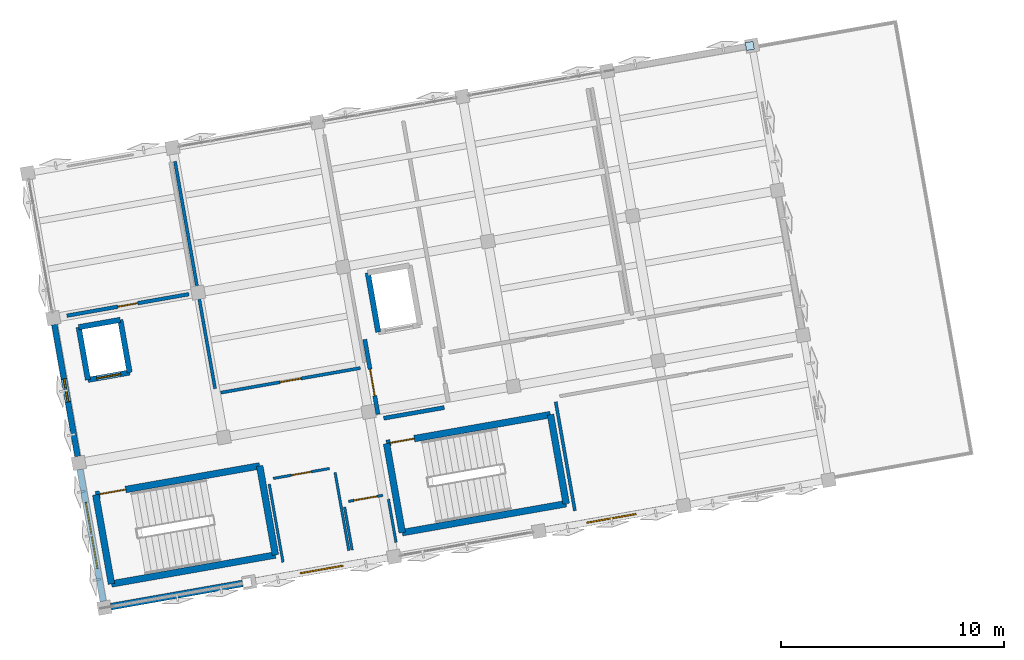
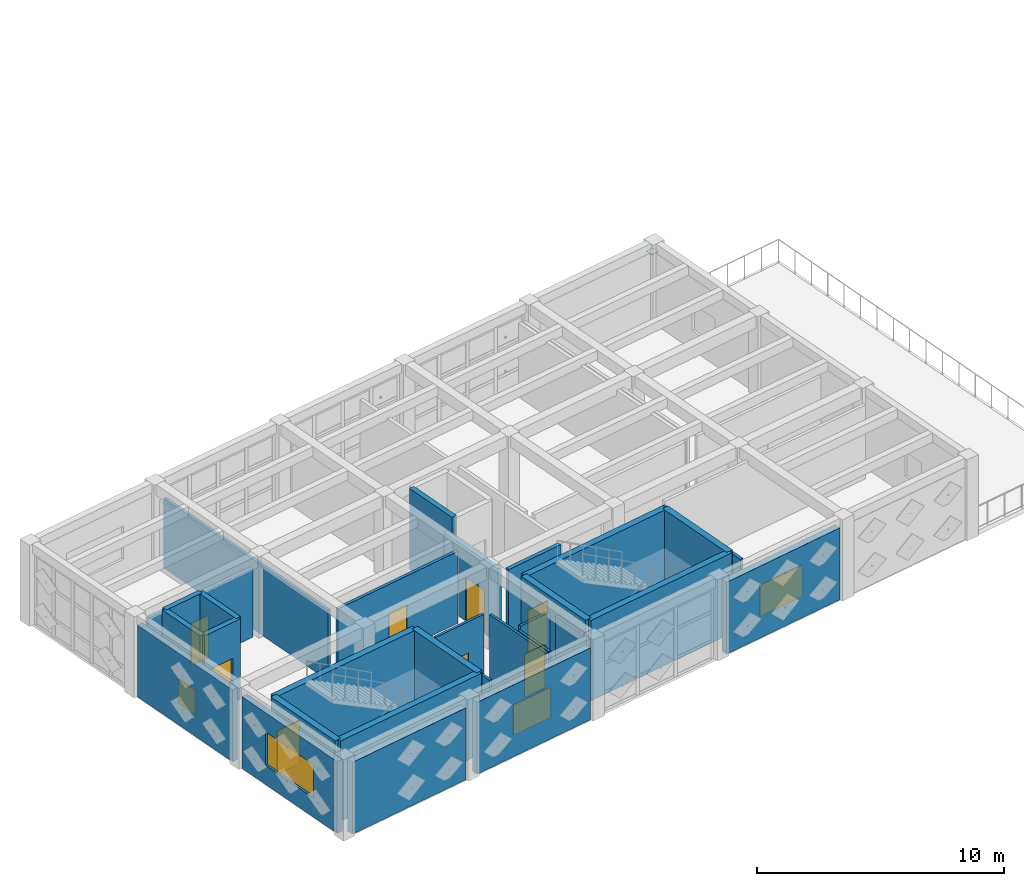
# One storey, part 13 of 18: 30 walls, 8 doors, 4 windows, 1 plate, 12 openings.
"""IFC4 building model written with IfcOpenShell, lengths in metres."""

from ifc_helpers import new_model, si_unit, direction, frame, frame_2d, origin, origin_2d, place, context, subcontext, project, spatial, rectangle, extrude, material, layer, layer_set, type_object, element, fill, save


model = new_model("IFC4")

# Units and contexts
model_context = context("Model", 3, precision=1e-05, world=origin(), true_north=direction((0.0, 1.0)))
body_context = subcontext(model_context, "Body", "Model", "MODEL_VIEW")
ifc_project = project(units=[si_unit("LENGTHUNIT", "METRE"), si_unit("AREAUNIT", "SQUARE_METRE"), si_unit("VOLUMEUNIT", "CUBIC_METRE"), si_unit("PLANEANGLEUNIT", "RADIAN"), si_unit("MASSUNIT", "GRAM", prefix="KILO")], contexts=[model_context])

# Site, building, storey
site_placement = place(None, origin())
site = spatial("IfcSite", under=ifc_project, at=site_placement, CompositionType="ELEMENT")
building_placement = place(site_placement, origin())
building = spatial("IfcBuilding", under=site, at=building_placement, Name="Kharisveld Research Institute", CompositionType="ELEMENT")
storey_placement = place(building_placement, frame((0.0, 0.0, 36.60009765625)))
storey = spatial("IfcBuildingStorey", under=building, at=storey_placement, Name="L08", CompositionType="ELEMENT", Elevation=36.60009765625)

# Plate
ifc_material_1 = material(Name="Steel S355JR", Category="steel")
ifc_layer_1 = layer(ifc_material_1, 0.013916015625)
ifc_layer_set_1 = layer_set([ifc_layer_1], Name="PL_CAP_A")
plate_type = type_object("IfcPlateType", Name="PL_CAP_A", PredefinedType="SHEET", material=ifc_layer_set_1)
plate_placement = place(storey_placement, frame((34.161865234375, 60.22216796875, 3.462890625), z_axis=(0.0, 0.0, 1.0), x_axis=(0.984807753012, 0.173648177667, 0.0)))
element("IfcPlate", 1, at=plate_placement, inside=storey, type_object=plate_type, Name="PLT:V1:L08:CAP_4_3", PredefinedType="SHEET", context=body_context, shape_type="SweptSolid", body=[
    extrude(rectangle(XDim=0.360107421875, YDim=0.360107421875, at=origin_2d()), origin(), (0.0, 0.0, 1.0), 0.013916015625),
])

# Walls
ifc_material_2 = material(Name="Concrete C40/50", Category="concrete")
ifc_layer_2 = layer(ifc_material_2, 0.239990234375)
ifc_layer_set_2 = layer_set([ifc_layer_2], Name="WL_CORE_240")
wall_type_1 = type_object("IfcWallType", Name="WL_CORE_240", PredefinedType="SHEAR", material=ifc_layer_set_2)
wall_1_placement = place(storey_placement, frame((17.48828125, 47.3818359375, 0.0), z_axis=(0.0, 0.0, 1.0), x_axis=(-0.173615102578, 0.98481358447, 0.0)))
element("IfcWall", 2, at=wall_1_placement, inside=storey, type_object=wall_type_1, Name="WL:LFT:FFL-01:L08:W", PredefinedType="SHEAR", context=body_context, shape_type="SweptSolid", body=[
    extrude(rectangle(XDim=2.699951171875, YDim=0.239990234375, at=frame_2d((1.35009765625, 0.0))), origin(), (0.0, 0.0, 1.0), 3.97998046875),
])
wall_2_placement = place(storey_placement, frame((4.462890625, 45.2373046875, 0.0), z_axis=(0.0, 0.0, 1.0), x_axis=(-0.173646056486, 0.984808127031, 0.0)))
element("IfcWall", 3, at=wall_2_placement, inside=storey, type_object=wall_type_1, Name="WL:LFT:PL-01:L08:W", PredefinedType="SHEAR", context=body_context, shape_type="SweptSolid", body=[
    extrude(rectangle(XDim=2.39990234375, YDim=0.239990234375, at=frame_2d((1.199951171875, 0.0))), origin(), (0.0, 0.0, 1.0), 3.97998046875),
])
wall_3_placement = place(storey_placement, frame((4.046142578125, 47.600830078125, 0.0), z_axis=(0.0, 0.0, 1.0), x_axis=(0.984793905749, 0.173726691098, 0.0)))
element("IfcWall", 4, at=wall_3_placement, inside=storey, type_object=wall_type_1, Name="WL:LFT:PL-01:L08:N", PredefinedType="SHEAR", context=body_context, shape_type="SweptSolid", body=[
    extrude(rectangle(XDim=1.89990234375, YDim=0.239990234375, at=frame_2d((0.949951171875, 0.0))), origin(), (0.0, 0.0, 1.0), 3.97998046875),
])
wall_4_placement = place(storey_placement, frame((5.917236328125, 47.930908203125, 0.0), z_axis=(0.0, 0.0, 1.0), x_axis=(0.173646056486, -0.984808127031, 0.0)))
element("IfcWall", 5, at=wall_4_placement, inside=storey, type_object=wall_type_1, Name="WL:LFT:PL-01:L08:E", PredefinedType="SHEAR", context=body_context, shape_type="SweptSolid", body=[
    extrude(rectangle(XDim=2.39990234375, YDim=0.239990234375, at=frame_2d((1.199951171875, 0.0))), origin(), (0.0, 0.0, 1.0), 3.97998046875),
])

# Wall, opening, door
wall_5_placement = place(storey_placement, frame((6.333984375, 45.5673828125, 0.0), z_axis=(0.0, 0.0, 1.0), x_axis=(-0.984793905749, -0.173726691098, 0.0)))
wall_5 = element("IfcWall", 6, at=wall_5_placement, inside=storey, type_object=wall_type_1, Name="WL:LFT:PL-01:L08:S", PredefinedType="SHEAR", context=body_context, shape_type="SweptSolid", body=[
    extrude(rectangle(XDim=1.89990234375, YDim=0.239990234375, at=frame_2d((0.949951171875, 0.0))), origin(), (0.0, 0.0, 1.0), 3.97998046875),
])
opening_1_placement = place(wall_5_placement, frame((0.39990234375, 0.0, 0.0)))
opening_1 = element("IfcOpeningElement", 7, at=opening_1_placement, cuts=wall_5, Name="Opening LD-01", PredefinedType="OPENING", context=body_context, shape_type="SweptSolid", body=[
    extrude(rectangle(XDim=1.10009765625, YDim=2.199951171875, at=frame_2d((0.550048828125, 1.10009765625))), frame((0.0, 0.1201171875, 0.0), z_axis=(0.0, -1.0, 0.0), x_axis=(1.0, 0.0, 0.0)), (0.0, 0.0, 1.0), 0.239990234375),
])
ifc_material_3 = material(Name="Flush Painted Hardwood and Anodised Aluminium", Category="wood")
door_type_1 = type_object("IfcDoorType", Name="DR_LFT_110", OperationType="SLIDING_TO_LEFT", PredefinedType="DOOR", material=ifc_material_3)
door_1_placement = place(opening_1_placement, origin())
door_1 = element("IfcDoor", 8, at=door_1_placement, inside=storey, type_object=door_type_1, Name="PL-01 Lift Landing Door L08", OperationType="SLIDING_TO_LEFT", OverallHeight=2.199951171875, OverallWidth=1.10009765625, PredefinedType="DOOR", context=body_context, shape_type="SweptSolid", body=[
    extrude(rectangle(XDim=1.10009765625, YDim=2.199951171875, at=frame_2d((0.550048828125, 1.10009765625))), frame((0.0, 0.02490234375, 0.0), z_axis=(0.0, -1.0, 0.0), x_axis=(1.0, 0.0, 0.0)), (0.0, 0.0, 1.0), 0.050048828125),
])
fill(opening_1, door_1)

# Wall
ifc_material_4 = material(Name="Concrete C40/50", Category="concrete")
ifc_layer_3 = layer(ifc_material_4, 0.300048828125)
ifc_layer_set_3 = layer_set([ifc_layer_3], Name="WL_CORE_300")
wall_type_2 = type_object("IfcWallType", Name="WL_CORE_300", PredefinedType="SHEAR", material=ifc_layer_set_3)
wall_6_placement = place(storey_placement, frame((5.518798828125, 36.08154296875, 0.0), z_axis=(0.0, 0.0, 1.0), x_axis=(-0.173665267602, 0.984804739443, 0.0)))
element("IfcWall", 9, at=wall_6_placement, inside=storey, type_object=wall_type_2, Name="WL:STR:ST1:L08:W", PredefinedType="SHEAR", context=body_context, shape_type="SweptSolid", body=[
    extrude(rectangle(XDim=4.06005859375, YDim=0.300048828125, at=frame_2d((2.030029296875, 0.0))), origin(), (0.0, 0.0, 1.0), 3.97998046875),
])

# Wall, opening, door
wall_7_placement = place(storey_placement, frame((4.813720703125, 40.079833984375, 0.0), z_axis=(0.0, 0.0, 1.0), x_axis=(0.984802636214, 0.173677193974, 0.0)))
wall_7 = element("IfcWall", 10, at=wall_7_placement, inside=storey, type_object=wall_type_2, Name="WL:STR:ST1:L08:N", PredefinedType="SHEAR", context=body_context, shape_type="SweptSolid", body=[
    extrude(rectangle(XDim=7.469970703125, YDim=0.300048828125, at=frame_2d((3.73486328125, 0.0))), origin(), (0.0, 0.0, 1.0), 3.97998046875),
])
opening_2_placement = place(wall_7_placement, frame((0.179931640625, 0.0, 0.0)))
opening_2 = element("IfcOpeningElement", 11, at=opening_2_placement, cuts=wall_7, Name="Opening DS-010", PredefinedType="OPENING", context=body_context, shape_type="SweptSolid", body=[
    extrude(rectangle(XDim=1.179931640625, YDim=2.14990234375, at=frame_2d((0.58984375, 1.074951171875))), frame((0.0, 0.14990234375, 0.0), z_axis=(0.0, -1.0, 0.0), x_axis=(1.0, 0.0, 0.0)), (0.0, 0.0, 1.0), 0.300048828125),
])
ifc_material_5 = material(Name="Flush Painted Hardwood and Anodised Aluminium", Category="wood")
door_type_2 = type_object("IfcDoorType", Name="DR_FD60_118", OperationType="NOTDEFINED", PredefinedType="DOOR", material=ifc_material_5)
door_2_placement = place(opening_2_placement, origin())
door_2 = element("IfcDoor", 12, at=door_2_placement, inside=storey, type_object=door_type_2, Name="DR:STR:ST1:L08", OperationType="SINGLE_SWING_LEFT", OverallHeight=2.14990234375, OverallWidth=1.179931640625, PredefinedType="DOOR", context=body_context, shape_type="SweptSolid", body=[
    extrude(rectangle(XDim=1.179931640625, YDim=2.14990234375, at=frame_2d((0.58984375, 1.074951171875))), frame((0.0, 0.02490234375, 0.0), z_axis=(0.0, -1.0, 0.0), x_axis=(1.0, 0.0, 0.0)), (0.0, 0.0, 1.0), 0.050048828125),
])
fill(opening_2, door_2)

# Walls
wall_8_placement = place(storey_placement, frame((12.170166015625, 41.377197265625, 0.0), z_axis=(0.0, 0.0, 1.0), x_axis=(0.173654983803, -0.984806552883, 0.0)))
element("IfcWall", 13, at=wall_8_placement, inside=storey, type_object=wall_type_2, Name="WL:STR:ST1:L08:E", PredefinedType="SHEAR", context=body_context, shape_type="SweptSolid", body=[
    extrude(rectangle(XDim=4.060302734375, YDim=0.300048828125, at=frame_2d((2.0302734375, 0.0))), origin(), (0.0, 0.0, 1.0), 3.97998046875),
])
wall_9_placement = place(storey_placement, frame((12.875244140625, 37.378662109375, 0.0), z_axis=(0.0, 0.0, 1.0), x_axis=(-0.984808225754, -0.173645496596, 0.0)))
element("IfcWall", 14, at=wall_9_placement, inside=storey, type_object=wall_type_2, Name="WL:STR:ST1:L08:S", PredefinedType="SHEAR", context=body_context, shape_type="SweptSolid", body=[
    extrude(rectangle(XDim=7.469970703125, YDim=0.300048828125, at=frame_2d((3.73486328125, 0.0))), origin(), (0.0, 0.0, 1.0), 3.97998046875),
])
wall_10_placement = place(storey_placement, frame((18.5673828125, 38.382568359375, 0.0), z_axis=(0.0, 0.0, 1.0), x_axis=(-0.173606946886, 0.984815022221, 0.0)))
element("IfcWall", 15, at=wall_10_placement, inside=storey, type_object=wall_type_2, Name="WL:STR:ST2:L08:W", PredefinedType="SHEAR", context=body_context, shape_type="SweptSolid", body=[
    extrude(rectangle(XDim=4.06005859375, YDim=0.300048828125, at=frame_2d((2.030029296875, 0.0))), origin(), (0.0, 0.0, 1.0), 3.97998046875),
])

# Wall, opening, door
wall_11_placement = place(storey_placement, frame((17.862548828125, 42.380859375, 0.0), z_axis=(0.0, 0.0, 1.0), x_axis=(0.984808225754, 0.173645496596, 0.0)))
wall_11 = element("IfcWall", 16, at=wall_11_placement, inside=storey, type_object=wall_type_2, Name="WL:STR:ST2:L08:N", PredefinedType="SHEAR", context=body_context, shape_type="SweptSolid", body=[
    extrude(rectangle(XDim=7.469970703125, YDim=0.300048828125, at=frame_2d((3.73486328125, 0.0))), origin(), (0.0, 0.0, 1.0), 3.97998046875),
])
opening_3_placement = place(wall_11_placement, frame((0.179931640625, 0.0, 0.0)))
opening_3 = element("IfcOpeningElement", 17, at=opening_3_placement, cuts=wall_11, Name="Opening DS-023", PredefinedType="OPENING", context=body_context, shape_type="SweptSolid", body=[
    extrude(rectangle(XDim=1.080078125, YDim=2.14990234375, at=frame_2d((0.5400390625, 1.074951171875))), frame((0.0, 0.14990234375, 0.0), z_axis=(0.0, -1.0, 0.0), x_axis=(1.0, 0.0, 0.0)), (0.0, 0.0, 1.0), 0.300048828125),
])
ifc_material_6 = material(Name="Flush Painted Hardwood and Anodised Aluminium", Category="wood")
door_type_3 = type_object("IfcDoorType", Name="DR_FD60_108", OperationType="NOTDEFINED", PredefinedType="DOOR", material=ifc_material_6)
door_3_placement = place(opening_3_placement, origin())
door_3 = element("IfcDoor", 18, at=door_3_placement, inside=storey, type_object=door_type_3, Name="DR:STR:ST2:L08", OperationType="SINGLE_SWING_RIGHT", OverallHeight=2.14990234375, OverallWidth=1.080078125, PredefinedType="DOOR", context=body_context, shape_type="SweptSolid", body=[
    extrude(rectangle(XDim=1.080078125, YDim=2.14990234375, at=frame_2d((0.5400390625, 1.074951171875))), frame((0.0, 0.02490234375, 0.0), z_axis=(0.0, -1.0, 0.0), x_axis=(1.0, 0.0, 0.0)), (0.0, 0.0, 1.0), 0.050048828125),
])
fill(opening_3, door_3)

# Walls
wall_12_placement = place(storey_placement, frame((25.218994140625, 43.677978515625, 0.0), z_axis=(0.0, 0.0, 1.0), x_axis=(0.173665267602, -0.984804739443, 0.0)))
element("IfcWall", 19, at=wall_12_placement, inside=storey, type_object=wall_type_2, Name="WL:STR:ST2:L08:E", PredefinedType="SHEAR", context=body_context, shape_type="SweptSolid", body=[
    extrude(rectangle(XDim=4.06005859375, YDim=0.300048828125, at=frame_2d((2.030029296875, 0.0))), origin(), (0.0, 0.0, 1.0), 3.97998046875),
])
wall_13_placement = place(storey_placement, frame((25.924072265625, 39.6796875, 0.0), z_axis=(0.0, 0.0, 1.0), x_axis=(-0.984809211193, -0.173639907711, 0.0)))
element("IfcWall", 20, at=wall_13_placement, inside=storey, type_object=wall_type_2, Name="WL:STR:ST2:L08:S", PredefinedType="SHEAR", context=body_context, shape_type="SweptSolid", body=[
    extrude(rectangle(XDim=7.47021484375, YDim=0.300048828125, at=frame_2d((3.735107421875, 0.0))), origin(), (0.0, 0.0, 1.0), 3.97998046875),
])

# Wall, opening, window
ifc_material_7 = material(Name="Precast Concrete C40/50 Thermal Wall", Category="concrete")
ifc_layer_4 = layer(ifc_material_7, 0.260009765625)
ifc_layer_set_4 = layer_set([ifc_layer_4], Name="WL_EXT_260")
wall_type_3 = type_object("IfcWallType", Name="WL_EXT_260", PredefinedType="STANDARD", material=ifc_layer_set_4)
wall_14_placement = place(storey_placement, frame((4.002685546875, 41.80029296875, 0.0), z_axis=(0.0, 0.0, 1.0), x_axis=(-0.173660194111, 0.984805634113, 0.0)))
wall_14 = element("IfcWall", 21, at=wall_14_placement, inside=storey, type_object=wall_type_3, Name="WL:V1:L08:W1", PredefinedType="STANDARD", context=body_context, shape_type="SweptSolid", body=[
    extrude(rectangle(XDim=6.010009765625, YDim=0.260009765625, at=frame_2d((3.0048828125, 0.0))), origin(), (0.0, 0.0, 1.0), 3.554931640625),
])
opening_4_placement = place(wall_14_placement, frame((2.47998046875, 0.0, 0.949951171875)))
opening_4 = element("IfcOpeningElement", 22, at=opening_4_placement, cuts=wall_14, Name="Opening WN-11", PredefinedType="OPENING", context=body_context, shape_type="SweptSolid", body=[
    extrude(rectangle(XDim=1.050048828125, YDim=1.199951171875, at=frame_2d((0.52490234375, 0.60009765625))), frame((0.0, 0.1298828125, 0.0), z_axis=(0.0, -1.0, 0.0), x_axis=(1.0, 0.0, 0.0)), (0.0, 0.0, 1.0), 0.260009765625),
])
ifc_material_8 = material(Name="Low-E Double Glazing", Category="glass")
window_type_1 = type_object("IfcWindowType", Name="WN_11", PartitioningType="SINGLE_PANEL", PredefinedType="WINDOW", material=ifc_material_8)
window_1_placement = place(opening_4_placement, origin())
window_1 = element("IfcWindow", 23, at=window_1_placement, inside=storey, type_object=window_type_1, Name="WN:V1:L08:W1", OverallHeight=1.199951171875, OverallWidth=1.050048828125, PartitioningType="SINGLE_PANEL", PredefinedType="WINDOW", context=body_context, shape_type="SweptSolid", body=[
    extrude(rectangle(XDim=1.050048828125, YDim=1.199951171875, at=frame_2d((0.52490234375, 0.60009765625))), frame((0.0, 0.030029296875, 0.0), z_axis=(0.0, -1.0, 0.0), x_axis=(1.0, 0.0, 0.0)), (0.0, 0.0, 1.0), 0.06005859375),
])
fill(opening_4, window_1)

ifc_material_9 = material(Name="Precast Concrete C40/50 Thermal Wall", Category="concrete")
ifc_layer_5 = layer(ifc_material_9, 0.27490234375)
ifc_layer_set_5 = layer_set([ifc_layer_5], Name="WL_EXT_275")
wall_type_4 = type_object("IfcWallType", Name="WL_EXT_275", PredefinedType="STANDARD", material=ifc_layer_set_5)
wall_15_placement = place(storey_placement, frame((5.148681640625, 35.300537109375, 0.0), z_axis=(0.0, 0.0, 1.0), x_axis=(-0.173620796507, 0.984812580657, 0.0)))
wall_15 = element("IfcWall", 24, at=wall_15_placement, inside=storey, type_object=wall_type_4, Name="WL:V1:L08:W0", PredefinedType="STANDARD", context=body_context, shape_type="SweptSolid", body=[
    extrude(rectangle(XDim=6.010009765625, YDim=0.27490234375, at=frame_2d((3.0048828125, 0.0))), origin(), (0.0, 0.0, 1.0), 3.554931640625),
])
opening_5_placement = place(wall_15_placement, frame((1.5048828125, 0.0, 0.949951171875)))
opening_5 = element("IfcOpeningElement", 25, at=opening_5_placement, cuts=wall_15, Name="Opening WN-10", PredefinedType="OPENING", context=body_context, shape_type="SweptSolid", body=[
    extrude(rectangle(XDim=3.0, YDim=1.64990234375, at=frame_2d((1.5, 0.824951171875))), frame((0.0, 0.137451171875, 0.0), z_axis=(0.0, -1.0, 0.0), x_axis=(1.0, 0.0, 0.0)), (0.0, 0.0, 1.0), 0.27490234375),
])
ifc_material_10 = material(Name="Low-E Double Glazing", Category="glass")
window_type_2 = type_object("IfcWindowType", Name="WN_10", PartitioningType="TRIPLE_PANEL_VERTICAL", PredefinedType="WINDOW", material=ifc_material_10)
window_2_placement = place(opening_5_placement, origin())
window_2 = element("IfcWindow", 26, at=window_2_placement, inside=storey, type_object=window_type_2, Name="WN:V1:L08:W0", OverallHeight=1.64990234375, OverallWidth=3.0, PartitioningType="SINGLE_PANEL", PredefinedType="WINDOW", context=body_context, shape_type="SweptSolid", body=[
    extrude(rectangle(XDim=3.0, YDim=1.64990234375, at=frame_2d((1.5, 0.824951171875))), frame((0.0, 0.030029296875, 0.0), z_axis=(0.0, -1.0, 0.0), x_axis=(1.0, 0.0, 0.0)), (0.0, 0.0, 1.0), 0.06005859375),
])
fill(opening_5, window_2)

ifc_material_11 = material(Name="Precast Concrete C40/50 Ochre Panel", Category="concrete")
ifc_layer_6 = layer(ifc_material_11, 0.304931640625)
ifc_layer_set_6 = layer_set([ifc_layer_6], Name="WL_EXT_305")
wall_type_5 = type_object("IfcWallType", Name="WL_EXT_305", PredefinedType="STANDARD", material=ifc_layer_set_6)
wall_16_placement = place(storey_placement, frame((30.908447265625, 39.54296875, 0.0), z_axis=(0.0, 0.0, 1.0), x_axis=(-0.984812580657, -0.173620796507, 0.0)))
wall_16 = element("IfcWall", 27, at=wall_16_placement, inside=storey, type_object=wall_type_5, Name="WL:V1:L08:S4", PredefinedType="STANDARD", context=body_context, shape_type="SweptSolid", body=[
    extrude(rectangle(XDim=6.010009765625, YDim=0.304931640625, at=frame_2d((3.0048828125, 0.0))), origin(), (0.0, 0.0, 1.0), 3.554931640625),
])
opening_6_placement = place(wall_16_placement, frame((1.8798828125, 0.0, 0.949951171875)))
opening_6 = element("IfcOpeningElement", 28, at=opening_6_placement, cuts=wall_16, Name="Opening WN-14", PredefinedType="OPENING", context=body_context, shape_type="SweptSolid", body=[
    extrude(rectangle(XDim=2.25, YDim=1.550048828125, at=frame_2d((1.125, 0.77490234375))), frame((0.0, 0.15234375, 0.0), z_axis=(0.0, -1.0, 0.0), x_axis=(1.0, 0.0, 0.0)), (0.0, 0.0, 1.0), 0.304931640625),
])
ifc_material_12 = material(Name="Low-E Double Glazing", Category="glass")
window_type_3 = type_object("IfcWindowType", Name="WN_14", PartitioningType="DOUBLE_PANEL_VERTICAL", PredefinedType="WINDOW", material=ifc_material_12)
window_3_placement = place(opening_6_placement, origin())
window_3 = element("IfcWindow", 29, at=window_3_placement, inside=storey, type_object=window_type_3, Name="WN:V1:L08:S4", OverallHeight=1.550048828125, OverallWidth=2.25, PartitioningType="SINGLE_PANEL", PredefinedType="WINDOW", context=body_context, shape_type="SweptSolid", body=[
    extrude(rectangle(XDim=2.25, YDim=1.550048828125, at=frame_2d((1.125, 0.77490234375))), frame((0.0, 0.030029296875, 0.0), z_axis=(0.0, -1.0, 0.0), x_axis=(1.0, 0.0, 0.0)), (0.0, 0.0, 1.0), 0.06005859375),
])
fill(opening_6, window_3)

wall_17_placement = place(storey_placement, frame((17.908935546875, 37.2509765625, 0.0), z_axis=(0.0, 0.0, 1.0), x_axis=(-0.984805634113, -0.173660194111, 0.0)))
wall_17 = element("IfcWall", 30, at=wall_17_placement, inside=storey, type_object=wall_type_5, Name="WL:V1:L08:S2", PredefinedType="STANDARD", context=body_context, shape_type="SweptSolid", body=[
    extrude(rectangle(XDim=6.010009765625, YDim=0.304931640625, at=frame_2d((3.0048828125, 0.0))), origin(), (0.0, 0.0, 1.0), 3.554931640625),
])
opening_7_placement = place(wall_17_placement, frame((2.030029296875, 0.0, 0.949951171875)))
opening_7 = element("IfcOpeningElement", 31, at=opening_7_placement, cuts=wall_17, Name="Opening WN-12", PredefinedType="OPENING", context=body_context, shape_type="SweptSolid", body=[
    extrude(rectangle(XDim=1.949951171875, YDim=1.5, at=frame_2d((0.97509765625, 0.75))), frame((0.0, 0.15234375, 0.0), z_axis=(0.0, -1.0, 0.0), x_axis=(1.0, 0.0, 0.0)), (0.0, 0.0, 1.0), 0.304931640625),
])
ifc_material_13 = material(Name="Low-E Double Glazing", Category="glass")
window_type_4 = type_object("IfcWindowType", Name="WN_12", PartitioningType="DOUBLE_PANEL_VERTICAL", PredefinedType="WINDOW", material=ifc_material_13)
window_4_placement = place(opening_7_placement, origin())
window_4 = element("IfcWindow", 32, at=window_4_placement, inside=storey, type_object=window_type_4, Name="WN:V1:L08:S2", OverallHeight=1.5, OverallWidth=1.949951171875, PartitioningType="SINGLE_PANEL", PredefinedType="WINDOW", context=body_context, shape_type="SweptSolid", body=[
    extrude(rectangle(XDim=1.949951171875, YDim=1.5, at=frame_2d((0.97509765625, 0.75))), frame((0.0, 0.030029296875, 0.0), z_axis=(0.0, -1.0, 0.0), x_axis=(1.0, 0.0, 0.0)), (0.0, 0.0, 1.0), 0.06005859375),
])
fill(opening_7, window_4)

# Wall
wall_18_placement = place(storey_placement, frame((11.4091796875, 36.104736328125, 0.0), z_axis=(0.0, 0.0, 1.0), x_axis=(-0.984812580657, -0.173620796507, 0.0)))
element("IfcWall", 33, at=wall_18_placement, inside=storey, type_object=wall_type_5, Name="WL:V1:L08:S1", PredefinedType="STANDARD", context=body_context, shape_type="SweptSolid", body=[
    extrude(rectangle(XDim=6.010009765625, YDim=0.304931640625, at=frame_2d((3.0048828125, 0.0))), origin(), (0.0, 0.0, 1.0), 3.554931640625),
])

# Wall, opening, door
ifc_material_14 = material(Name="Acoustic Drywall Partition", Category="mineral")
ifc_layer_7 = layer(ifc_material_14, 0.1650390625)
ifc_layer_set_7 = layer_set([ifc_layer_7], Name="WL_LAB_165")
wall_type_6 = type_object("IfcWallType", Name="WL_LAB_165", PredefinedType="PARTITIONING", material=ifc_layer_set_7)
wall_19_placement = place(storey_placement, frame((3.518310546875, 48.1171875, 0.0), z_axis=(0.0, 0.0, 1.0), x_axis=(0.984812720019, 0.173620006017, 0.0)))
wall_19 = element("IfcWall", 34, at=wall_19_placement, inside=storey, type_object=wall_type_6, Name="WL:RM:V1:L08:NW8:S", PredefinedType="PARTITIONING", context=body_context, shape_type="SweptSolid", body=[
    extrude(rectangle(XDim=5.56005859375, YDim=0.1650390625, at=frame_2d((2.780029296875, 0.0))), origin(), (0.0, 0.0, 1.0), 3.40478515625),
])
opening_8_placement = place(wall_19_placement, frame((2.324951171875, 0.0, 0.0)))
opening_8 = element("IfcOpeningElement", 35, at=opening_8_placement, cuts=wall_19, Name="Opening DI-145", PredefinedType="OPENING", context=body_context, shape_type="SweptSolid", body=[
    extrude(rectangle(XDim=0.909912109375, YDim=2.080078125, at=frame_2d((0.455078125, 1.0400390625))), frame((0.0, 0.08251953125, 0.0), z_axis=(0.0, -1.0, 0.0), x_axis=(1.0, 0.0, 0.0)), (0.0, 0.0, 1.0), 0.1650390625),
])
ifc_material_15 = material(Name="Flush Painted Hardwood and Anodised Aluminium", Category="wood")
door_type_4 = type_object("IfcDoorType", Name="DR_VAR_01", OperationType="NOTDEFINED", PredefinedType="DOOR", material=ifc_material_15)
door_4_placement = place(opening_8_placement, origin())
door_4 = element("IfcDoor", 36, at=door_4_placement, inside=storey, type_object=door_type_4, Name="DR:RM:V1:L08:NW8:S", OperationType="SINGLE_SWING_LEFT", OverallHeight=2.080078125, OverallWidth=0.909912109375, PredefinedType="DOOR", context=body_context, shape_type="SweptSolid", body=[
    extrude(rectangle(XDim=0.909912109375, YDim=2.080078125, at=frame_2d((0.455078125, 1.0400390625))), frame((0.0, 0.02490234375, 0.0), z_axis=(0.0, -1.0, 0.0), x_axis=(1.0, 0.0, 0.0)), (0.0, 0.0, 1.0), 0.050048828125),
])
fill(opening_8, door_4)

# Wall
ifc_material_16 = material(Name="Masonry Blockwork", Category="masonry")
ifc_layer_8 = layer(ifc_material_16, 0.18505859375)
ifc_layer_set_8 = layer_set([ifc_layer_8], Name="WL_LOB_185")
wall_type_7 = type_object("IfcWallType", Name="WL_LOB_185", PredefinedType="SOLIDWALL", material=ifc_layer_set_8)
wall_20_placement = place(storey_placement, frame((17.7333984375, 43.515625, 0.0), z_axis=(0.0, 0.0, 1.0), x_axis=(0.984808483292, 0.173644035992, 0.0)))
element("IfcWall", 37, at=wall_20_placement, inside=storey, type_object=wall_type_7, Name="WL:RM:V1:L08:FFL:S", PredefinedType="SOLIDWALL", context=body_context, shape_type="SweptSolid", body=[
    extrude(rectangle(XDim=2.760009765625, YDim=0.18505859375, at=frame_2d((1.3798828125, 0.0))), origin(), (0.0, 0.0, 1.0), 3.64990234375),
])

# Wall, opening, door
wall_21_placement = place(storey_placement, frame((16.886474609375, 47.05224609375, 0.0), z_axis=(0.0, 0.0, 1.0), x_axis=(0.173621956536, -0.984812376145, 0.0)))
wall_21 = element("IfcWall", 38, at=wall_21_placement, inside=storey, type_object=wall_type_7, Name="WL:RM:V1:L08:FFL:W", PredefinedType="SOLIDWALL", context=body_context, shape_type="SweptSolid", body=[
    extrude(rectangle(XDim=3.409912109375, YDim=0.18505859375, at=frame_2d((1.705078125, 0.0))), origin(), (0.0, 0.0, 1.0), 3.64990234375),
])
opening_9_placement = place(wall_21_placement, frame((1.360107421875, 0.0, 0.0)))
opening_9 = element("IfcOpeningElement", 39, at=opening_9_placement, cuts=wall_21, Name="Opening DI-142", PredefinedType="OPENING", context=body_context, shape_type="SweptSolid", body=[
    extrude(rectangle(XDim=1.199951171875, YDim=2.14990234375, at=frame_2d((0.60009765625, 1.074951171875))), frame((0.0, 0.092529296875, 0.0), z_axis=(0.0, -1.0, 0.0), x_axis=(1.0, 0.0, 0.0)), (0.0, 0.0, 1.0), 0.18505859375),
])
ifc_material_17 = material(Name="Flush Painted Hardwood and Anodised Aluminium", Category="wood")
door_type_5 = type_object("IfcDoorType", Name="DR_FD120_120", OperationType="NOTDEFINED", PredefinedType="DOOR", material=ifc_material_17)
door_5_placement = place(opening_9_placement, origin())
door_5 = element("IfcDoor", 40, at=door_5_placement, inside=storey, type_object=door_type_5, Name="DR:RM:V1:L08:FFL:W", OperationType="SINGLE_SWING_RIGHT", OverallHeight=2.14990234375, OverallWidth=1.199951171875, PredefinedType="DOOR", context=body_context, shape_type="SweptSolid", body=[
    extrude(rectangle(XDim=1.199951171875, YDim=2.14990234375, at=frame_2d((0.60009765625, 1.074951171875))), frame((0.0, 0.02490234375, 0.0), z_axis=(0.0, -1.0, 0.0), x_axis=(1.0, 0.0, 0.0)), (0.0, 0.0, 1.0), 0.050048828125),
])
fill(opening_9, door_5)

ifc_material_18 = material(Name="Insulated Stud Partition", Category="mineral")
ifc_layer_9 = layer(ifc_material_18, 0.139892578125)
ifc_layer_set_9 = layer_set([ifc_layer_9], Name="WL_OFF_140")
wall_type_8 = type_object("IfcWallType", Name="WL_OFF_140", PredefinedType="PARTITIONING", material=ifc_layer_set_9)
wall_22_placement = place(storey_placement, frame((10.423095703125, 44.66357421875, 0.0), z_axis=(0.0, 0.0, 1.0), x_axis=(0.984804420334, 0.173667077165, 0.0)))
wall_22 = element("IfcWall", 41, at=wall_22_placement, inside=storey, type_object=wall_type_8, Name="WL:RM:V1:L08:LIB8:S", PredefinedType="PARTITIONING", context=body_context, shape_type="SweptSolid", body=[
    extrude(rectangle(XDim=6.35986328125, YDim=0.139892578125, at=frame_2d((3.179931640625, 0.0))), origin(), (0.0, 0.0, 1.0), 3.554931640625),
])
opening_10_placement = place(wall_22_placement, frame((2.7099609375, 0.0, 0.0)))
opening_10 = element("IfcOpeningElement", 42, at=opening_10_placement, cuts=wall_22, Name="Opening DI-146", PredefinedType="OPENING", context=body_context, shape_type="SweptSolid", body=[
    extrude(rectangle(XDim=0.93994140625, YDim=2.1201171875, at=frame_2d((0.469970703125, 1.06005859375))), frame((0.0, 0.06982421875, 0.0), z_axis=(0.0, -1.0, 0.0), x_axis=(1.0, 0.0, 0.0)), (0.0, 0.0, 1.0), 0.139892578125),
])
ifc_material_19 = material(Name="Flush Painted Hardwood and Anodised Aluminium", Category="wood")
door_type_6 = type_object("IfcDoorType", Name="DR_OFF_094", OperationType="NOTDEFINED", PredefinedType="DOOR", material=ifc_material_19)
door_6_placement = place(opening_10_placement, origin())
door_6 = element("IfcDoor", 43, at=door_6_placement, inside=storey, type_object=door_type_6, Name="DR:RM:V1:L08:LIB8:S", OperationType="SINGLE_SWING_RIGHT", OverallHeight=2.1201171875, OverallWidth=0.93994140625, PredefinedType="DOOR", context=body_context, shape_type="SweptSolid", body=[
    extrude(rectangle(XDim=0.93994140625, YDim=2.1201171875, at=frame_2d((0.469970703125, 1.06005859375))), frame((0.0, 0.02490234375, 0.0), z_axis=(0.0, -1.0, 0.0), x_axis=(1.0, 0.0, 0.0)), (0.0, 0.0, 1.0), 0.050048828125),
])
fill(opening_10, door_6)

# Walls
wall_23_placement = place(storey_placement, frame((8.369140625, 55.044677734375, 0.0), z_axis=(0.0, 0.0, 1.0), x_axis=(0.173654930775, -0.984806562233, 0.0)))
element("IfcWall", 44, at=wall_23_placement, inside=storey, type_object=wall_type_8, Name="WL:RM:V1:L08:LIB8:W", PredefinedType="PARTITIONING", context=body_context, shape_type="SweptSolid", body=[
    extrude(rectangle(XDim=10.360107421875, YDim=0.139892578125, at=frame_2d((5.18017578125, 0.0))), origin(), (0.0, 0.0, 1.0), 3.454833984375),
])
wall_24_placement = place(storey_placement, frame((25.45361328125, 44.247314453125, 0.0), z_axis=(0.0, 0.0, 1.0), x_axis=(0.173658971256, -0.98480584975, 0.0)))
element("IfcWall", 45, at=wall_24_placement, inside=storey, type_object=wall_type_8, Name="WL:RM:V1:L08:WU8S:W", PredefinedType="PARTITIONING", context=body_context, shape_type="SweptSolid", body=[
    extrude(rectangle(XDim=4.9599609375, YDim=0.139892578125, at=frame_2d((2.47998046875, 0.0))), origin(), (0.0, 0.0, 1.0), 3.64990234375),
])
ifc_material_20 = material(Name="Moisture-Resistant Partition", Category="mineral")
ifc_layer_10 = layer(ifc_material_20, 0.114990234375)
ifc_layer_set_10 = layer_set([ifc_layer_10], Name="WL_WC_115")
wall_type_9 = type_object("IfcWallType", Name="WL_WC_115", PredefinedType="PARTITIONING", material=ifc_layer_set_10)
wall_25_placement = place(storey_placement, frame((16.17138671875, 37.57421875, 0.0), z_axis=(0.0, 0.0, 1.0), x_axis=(-0.173644490041, 0.984808403233, 0.0)))
element("IfcWall", 46, at=wall_25_placement, inside=storey, type_object=wall_type_9, Name="WL:RM:V1:L08:WCM:E", PredefinedType="PARTITIONING", context=body_context, shape_type="SweptSolid", body=[
    extrude(rectangle(XDim=3.56005859375, YDim=0.114990234375, at=frame_2d((1.780029296875, 0.0))), origin(), (0.0, 0.0, 1.0), 3.64990234375),
])

# Wall, opening, door
wall_26_placement = place(storey_placement, frame((15.29833984375, 41.258544921875, 0.0), z_axis=(0.0, 0.0, 1.0), x_axis=(-0.984803714572, -0.17367107924, 0.0)))
wall_26 = element("IfcWall", 47, at=wall_26_placement, inside=storey, type_object=wall_type_9, Name="WL:RM:V1:L08:WCM:N", PredefinedType="PARTITIONING", context=body_context, shape_type="SweptSolid", body=[
    extrude(rectangle(XDim=2.559814453125, YDim=0.114990234375, at=frame_2d((1.27978515625, 0.0))), origin(), (0.0, 0.0, 1.0), 3.64990234375),
])
opening_11_placement = place(wall_26_placement, frame((0.830078125, 0.0, 0.0)))
opening_11 = element("IfcOpeningElement", 48, at=opening_11_placement, cuts=wall_26, Name="Opening DI-143", PredefinedType="OPENING", context=body_context, shape_type="SweptSolid", body=[
    extrude(rectangle(XDim=0.89990234375, YDim=2.10009765625, at=frame_2d((0.449951171875, 1.050048828125))), frame((0.0, 0.0576171875, 0.0), z_axis=(0.0, -1.0, 0.0), x_axis=(1.0, 0.0, 0.0)), (0.0, 0.0, 1.0), 0.114990234375),
])
ifc_material_21 = material(Name="Flush Painted Hardwood and Anodised Aluminium", Category="wood")
door_type_7 = type_object("IfcDoorType", Name="DR_WC_090", OperationType="NOTDEFINED", PredefinedType="DOOR", material=ifc_material_21)
door_7_placement = place(opening_11_placement, origin())
door_7 = element("IfcDoor", 49, at=door_7_placement, inside=storey, type_object=door_type_7, Name="DR:RM:V1:L08:WCM:N", OperationType="SINGLE_SWING_LEFT", OverallHeight=2.10009765625, OverallWidth=0.89990234375, PredefinedType="DOOR", context=body_context, shape_type="SweptSolid", body=[
    extrude(rectangle(XDim=0.89990234375, YDim=2.10009765625, at=frame_2d((0.449951171875, 1.050048828125))), frame((0.0, 0.02490234375, 0.0), z_axis=(0.0, -1.0, 0.0), x_axis=(1.0, 0.0, 0.0)), (0.0, 0.0, 1.0), 0.050048828125),
])
fill(opening_11, door_7)

# Walls
wall_27_placement = place(storey_placement, frame((12.598876953125, 40.55908203125, 0.0), z_axis=(0.0, 0.0, 1.0), x_axis=(0.173644490041, -0.984808403233, 0.0)))
element("IfcWall", 50, at=wall_27_placement, inside=storey, type_object=wall_type_9, Name="WL:RM:V1:L08:WCM:W", PredefinedType="PARTITIONING", context=body_context, shape_type="SweptSolid", body=[
    extrude(rectangle(XDim=3.56005859375, YDim=0.114990234375, at=frame_2d((1.780029296875, 0.0))), origin(), (0.0, 0.0, 1.0), 3.64990234375),
])
wall_28_placement = place(storey_placement, frame((18.288818359375, 37.947509765625, 0.0), z_axis=(0.0, 0.0, 1.0), x_axis=(-0.173643211285, 0.984808628706, 0.0)))
element("IfcWall", 51, at=wall_28_placement, inside=storey, type_object=wall_type_9, Name="WL:RM:V1:L08:WCA:E", PredefinedType="PARTITIONING", context=body_context, shape_type="SweptSolid", body=[
    extrude(rectangle(XDim=1.9599609375, YDim=0.114990234375, at=frame_2d((0.97998046875, 0.0))), origin(), (0.0, 0.0, 1.0), 3.454833984375),
])

# Wall, opening, door
wall_29_placement = place(storey_placement, frame((17.693603515625, 40.05615234375, 0.0), z_axis=(0.0, 0.0, 1.0), x_axis=(-0.984797734253, -0.173704987291, 0.0)))
wall_29 = element("IfcWall", 52, at=wall_29_placement, inside=storey, type_object=wall_type_9, Name="WL:RM:V1:L08:WCA:N", PredefinedType="PARTITIONING", context=body_context, shape_type="SweptSolid", body=[
    extrude(rectangle(XDim=1.56005859375, YDim=0.114990234375, at=frame_2d((0.780029296875, 0.0))), origin(), (0.0, 0.0, 1.0), 3.64990234375),
])
opening_12_placement = place(wall_29_placement, frame((0.25, 0.0, 0.0)))
opening_12 = element("IfcOpeningElement", 53, at=opening_12_placement, cuts=wall_29, Name="Opening DI-144", PredefinedType="OPENING", context=body_context, shape_type="SweptSolid", body=[
    extrude(rectangle(XDim=1.06005859375, YDim=2.1201171875, at=frame_2d((0.530029296875, 1.06005859375))), frame((0.0, 0.0576171875, 0.0), z_axis=(0.0, -1.0, 0.0), x_axis=(1.0, 0.0, 0.0)), (0.0, 0.0, 1.0), 0.114990234375),
])
ifc_material_22 = material(Name="Flush Painted Hardwood and Anodised Aluminium", Category="wood")
door_type_8 = type_object("IfcDoorType", Name="DR_WCA_106", OperationType="NOTDEFINED", PredefinedType="DOOR", material=ifc_material_22)
door_8_placement = place(opening_12_placement, origin())
door_8 = element("IfcDoor", 54, at=door_8_placement, inside=storey, type_object=door_type_8, Name="DR:RM:V1:L08:WCA:N", OperationType="SINGLE_SWING_RIGHT", OverallHeight=2.1201171875, OverallWidth=1.06005859375, PredefinedType="DOOR", context=body_context, shape_type="SweptSolid", body=[
    extrude(rectangle(XDim=1.06005859375, YDim=2.1201171875, at=frame_2d((0.530029296875, 1.06005859375))), frame((0.0, 0.02490234375, 0.0), z_axis=(0.0, -1.0, 0.0), x_axis=(1.0, 0.0, 0.0)), (0.0, 0.0, 1.0), 0.050048828125),
])
fill(opening_12, door_8)

# Wall
wall_30_placement = place(storey_placement, frame((15.978759765625, 39.5302734375, 0.0), z_axis=(0.0, 0.0, 1.0), x_axis=(0.173643211285, -0.984808628706, 0.0)))
element("IfcWall", 55, at=wall_30_placement, inside=storey, type_object=wall_type_9, Name="WL:RM:V1:L08:WCA:W", PredefinedType="PARTITIONING", context=body_context, shape_type="SweptSolid", body=[
    extrude(rectangle(XDim=1.9599609375, YDim=0.114990234375, at=frame_2d((0.97998046875, 0.0))), origin(), (0.0, 0.0, 1.0), 3.64990234375),
])

save(model, "model.ifc")
